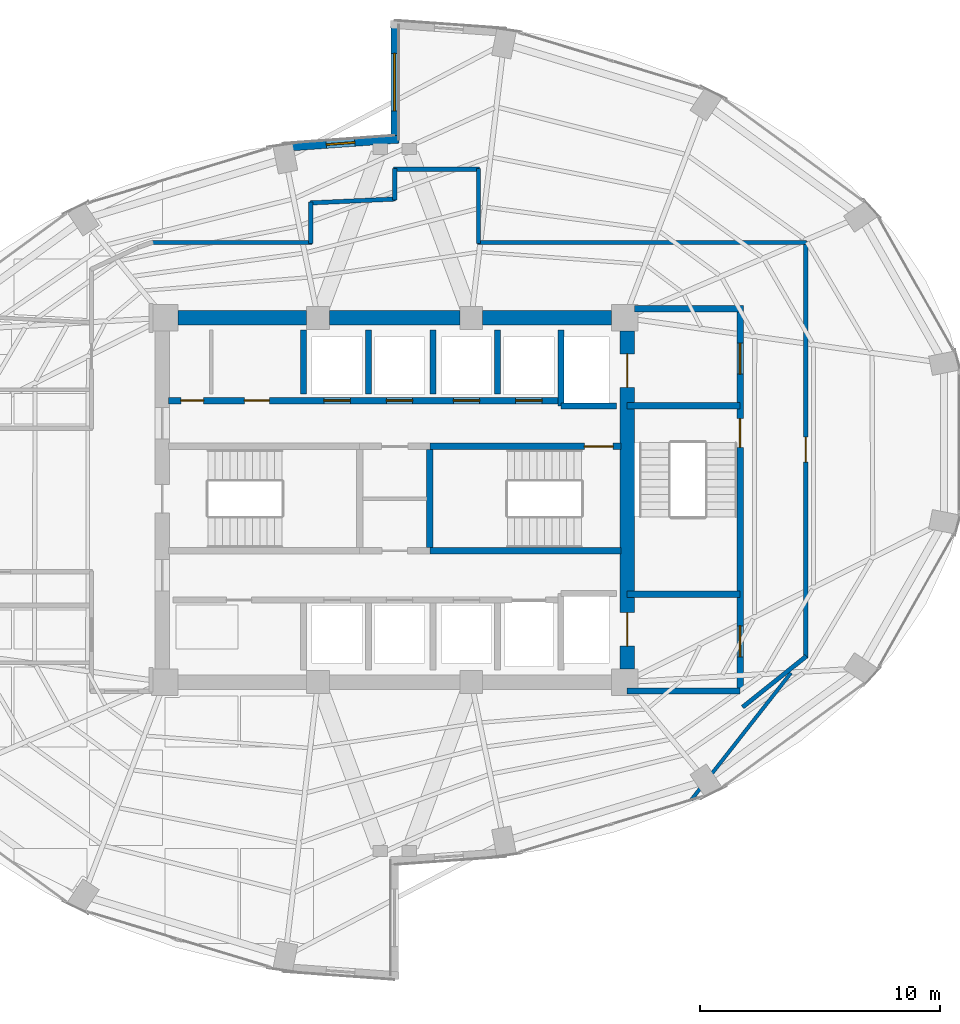
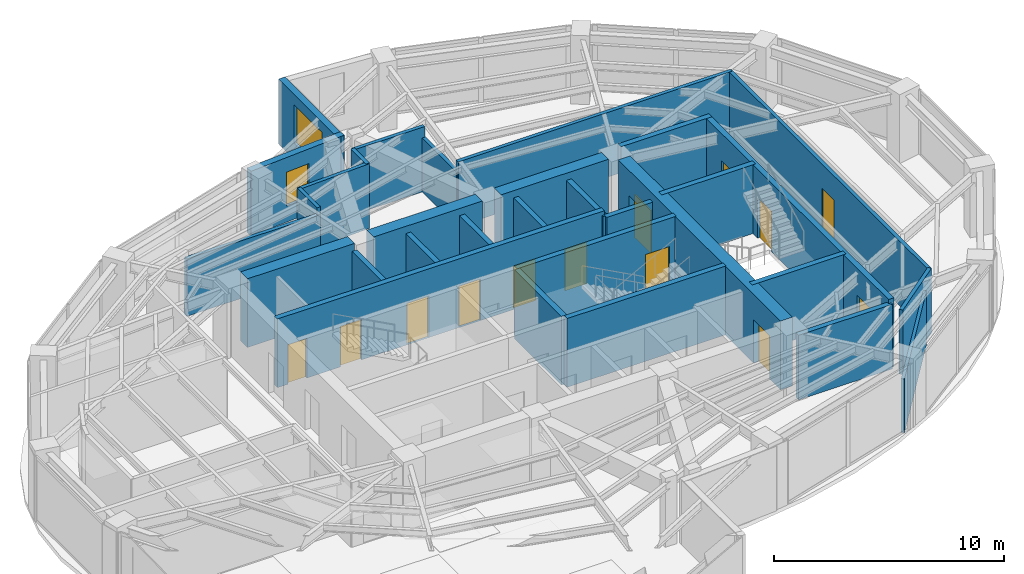
# One storey, part 17 of 20: 31 walls, 13 doors, 2 windows, 15 openings.
"""IFC4 building model written with IfcOpenShell, lengths in metres."""

import ifcopenshell
import ifcopenshell.guid

model = None  # the IFC model being written
_history = None  # IfcOwnerHistory: only IFC2X3 demands one
_inside = {}  # id of a spatial element -> (the spatial element, [elements in it])
_under = {}  # id of a project, library or spatial element -> (it, [spatial elements below it])
_declared = {}  # id of a project -> (the project, [libraries it declares])
_typed = {}  # id of a type object -> (the type object, [elements of that type])
_made_of = {}  # id of a material, layer set ... -> (it, [elements and type objects made of it])


def new_model(schema):
    """Start an empty IFC model of exactly this schema.

    Asked for "IFC4X3", IfcOpenShell would pick the latest addendum, in which some entities
    have other attributes; the version numbers below select the first issue.
    IFC2X3 requires an IfcOwnerHistory on every rooted entity: one is made here for all.
    """
    global model, _history
    if schema == "IFC4X3":
        model = ifcopenshell.file(schema_version=(4, 3, 0, 0))
    else:
        model = ifcopenshell.file(schema=schema)
    _inside.clear()
    _under.clear()
    _declared.clear()
    _typed.clear()
    _made_of.clear()
    _history = None
    if model.schema == "IFC2X3":
        org = make("IfcOrganization", Name="unknown")
        user = make(
            "IfcPersonAndOrganization",
            ThePerson=make("IfcPerson", FamilyName="unknown"),
            TheOrganization=org,
        )
        app = make(
            "IfcApplication",
            ApplicationDeveloper=org,
            Version="unknown",
            ApplicationFullName="unknown",
            ApplicationIdentifier="unknown",
        )
        _history = make(
            "IfcOwnerHistory",
            OwningUser=user,
            OwningApplication=app,
            ChangeAction="ADDED",
            CreationDate=0,
        )
    return model


def make(cls, **values):
    """One entity of the class cls with the attributes given. An attribute that is None is left unset."""
    return model.create_entity(
        cls, **{name: value for name, value in values.items() if value is not None}
    )


def rooted(cls, **values):
    """An entity with a GlobalId (a new one), such as an element, a storey or a relation."""
    return make(cls, GlobalId=ifcopenshell.guid.new(), OwnerHistory=_history, **values)


def si_unit(unit_type, name, prefix=None):
    """IfcSIUnit, for example si_unit("LENGTHUNIT", "METRE", prefix="MILLI")."""
    return make("IfcSIUnit", UnitType=unit_type, Prefix=prefix, Name=name)


def assignment(units):
    """IfcUnitAssignment: the units of a project."""
    return None if units is None else make("IfcUnitAssignment", Units=units)


def point(xyz):
    """IfcCartesianPoint."""
    return None if xyz is None else make("IfcCartesianPoint", Coordinates=xyz)


def direction(xyz):
    """IfcDirection."""
    return None if xyz is None else make("IfcDirection", DirectionRatios=xyz)


def frame(location, z_axis=None, x_axis=None):
    """IfcAxis2Placement3D, a coordinate frame: its origin and axes. An axis left out is left unset."""
    return make(
        "IfcAxis2Placement3D",
        Location=point(location),
        Axis=direction(z_axis),
        RefDirection=direction(x_axis),
    )


def frame_2d(location, x_axis=None):
    """IfcAxis2Placement2D, a coordinate frame in the plane: its origin and x axis."""
    return make(
        "IfcAxis2Placement2D", Location=point(location), RefDirection=direction(x_axis)
    )


def origin():
    """The frame at (0, 0, 0) with its axes left unset."""
    return frame((0.0, 0.0, 0.0))


def place(relative_to, where):
    """IfcLocalPlacement: puts the frame where relative to a parent placement (None: the world)."""
    return make(
        "IfcLocalPlacement", PlacementRelTo=relative_to, RelativePlacement=where
    )


def context(
    kind, dimensions, precision=None, world=None, true_north=None, identifier=None
):
    """IfcGeometricRepresentationContext, for example the 3D "Model" context."""
    return make(
        "IfcGeometricRepresentationContext",
        ContextIdentifier=identifier,
        ContextType=kind,
        CoordinateSpaceDimension=dimensions,
        Precision=precision,
        WorldCoordinateSystem=world,
        TrueNorth=true_north,
    )


def subcontext(parent, identifier, kind, view, scale=None):
    """IfcGeometricRepresentationSubContext, for example "Body" below "Model"."""
    return make(
        "IfcGeometricRepresentationSubContext",
        ContextIdentifier=identifier,
        ContextType=kind,
        ParentContext=parent,
        TargetScale=scale,
        TargetView=view,
    )


def project(units=None, contexts=None):
    """IfcProject with its units and contexts."""
    return rooted(
        "IfcProject",
        Name="project",
        RepresentationContexts=contexts,
        UnitsInContext=assignment(units),
    )


def spatial(cls, under=None, at=None, **own):
    """A site, building, storey or space (cls), placed at a placement, below another one or the project."""
    s = rooted(cls, ObjectPlacement=at, **own)
    if under is not None:
        _under.setdefault(under.id(), (under, []))[1].append(s)
    return s


def profile(cls, at=None, kind="AREA", **sizes):
    """A parametric profile (cls). Its sizes go by their IFC names, for example OverallWidth=200.0."""
    return make(cls, ProfileType=kind, Position=at, **sizes)


def rectangle(**sizes):
    """IfcRectangleProfileDef."""
    return profile("IfcRectangleProfileDef", **sizes)


def extrude(swept, where, along, depth):
    """IfcExtrudedAreaSolid: the profile swept, set in the frame where, extruded along a direction by depth."""
    return make(
        "IfcExtrudedAreaSolid",
        SweptArea=swept,
        Position=where,
        ExtrudedDirection=direction(along),
        Depth=depth,
    )


def shape(context_of_items, identifier, shape_type, items):
    """IfcShapeRepresentation: the items that make up one representation, for example the "Body"."""
    return make(
        "IfcShapeRepresentation",
        ContextOfItems=context_of_items,
        RepresentationIdentifier=identifier,
        RepresentationType=shape_type,
        Items=items,
    )


def material(Name=None, Category=None):
    """IfcMaterial."""
    return make("IfcMaterial", Name=Name, Category=Category)


def layer(
    of_material, thickness, ventilated=None, Name=None, Category=None, Priority=None
):
    """IfcMaterialLayer: one layer of a wall or slab, of a material (None: an air gap)."""
    return make(
        "IfcMaterialLayer",
        Material=of_material,
        LayerThickness=thickness,
        IsVentilated=ventilated,
        Name=Name,
        Category=Category,
        Priority=Priority,
    )


def layer_set(layers, Name=None):
    """IfcMaterialLayerSet."""
    return make("IfcMaterialLayerSet", MaterialLayers=layers, LayerSetName=Name)


def made_of(thing, what):
    """Note that an element or type object is made of a material, layer set ...; save() writes the relation."""
    if what is not None:
        _made_of.setdefault(what.id(), (what, []))[1].append(thing)
    return thing


def type_object(cls, material=None, **own):
    """A type object (cls), such as IfcWallType, which elements share."""
    return made_of(rooted(cls, **own), material)


def element(
    cls,
    number,
    at=None,
    inside=None,
    cuts=None,
    type_object=None,
    material=None,
    context=None,
    identifier="Body",
    shape_type=None,
    held_by="IfcProductDefinitionShape",
    body=None,
    shapes=None,
    **own,
):
    """One element of the class cls, such as IfcWall. Its Tag is "e" and its number.

    at: its placement. inside: the storey or other place that contains it. cuts: it is an
    opening in that element (IfcRelVoidsElement). A single representation is given by context,
    identifier, shape_type and body (its items); several are given by shapes. held_by: the class
    of the entity that holds the representations. save() writes the other relations.
    """
    e = rooted(cls, Tag="e%d" % number, ObjectPlacement=at, **own)
    if body is not None:
        shapes = [shape(context, identifier, shape_type, body)]
    if shapes is not None:
        e.Representation = make(held_by, Representations=shapes)
    if inside is not None:
        _inside.setdefault(inside.id(), (inside, []))[1].append(e)
    if cuts is not None:
        rooted(
            "IfcRelVoidsElement", RelatingBuildingElement=cuts, RelatedOpeningElement=e
        )
    if type_object is not None:
        _typed.setdefault(type_object.id(), (type_object, []))[1].append(e)
    return made_of(e, material)


def fill(opening, filler):
    """IfcRelFillsElement: the door or window that sits in an opening."""
    return rooted(
        "IfcRelFillsElement",
        RelatingOpeningElement=opening,
        RelatedBuildingElement=filler,
    )


def aggregate(whole, parts):
    """IfcRelAggregates: a whole, such as a stair, and the parts it consists of."""
    return rooted("IfcRelAggregates", RelatingObject=whole, RelatedObjects=parts)


def save(model, path):
    """Write the relations noted so far, then the file.

    IfcRelAggregates (storeys below a building ...), IfcRelContainedInSpatialStructure (elements
    in a storey), IfcRelDefinesByType, IfcRelAssociatesMaterial and IfcRelDeclares: one each for
    every whole, place, type object, material and project.
    """
    for whole, parts in _under.values():
        aggregate(whole, parts)
    for where, things in _inside.values():
        rooted(
            "IfcRelContainedInSpatialStructure",
            RelatedElements=things,
            RelatingStructure=where,
        )
    for kind, things in _typed.values():
        rooted("IfcRelDefinesByType", RelatedObjects=things, RelatingType=kind)
    for what, things in _made_of.values():
        rooted("IfcRelAssociatesMaterial", RelatedObjects=things, RelatingMaterial=what)
    for by, libraries in _declared.values():
        rooted("IfcRelDeclares", RelatingContext=by, RelatedDefinitions=libraries)
    model.write(path)


model = new_model("IFC4")

# Units and contexts
model_context = context("Model", 3, precision=1e-05, world=origin(), true_north=direction((0.0, 1.0)))
body_context = subcontext(model_context, "Body", "Model", "MODEL_VIEW")
ifc_project = project(units=[si_unit("LENGTHUNIT", "METRE"), si_unit("AREAUNIT", "SQUARE_METRE"), si_unit("VOLUMEUNIT", "CUBIC_METRE"), si_unit("PLANEANGLEUNIT", "RADIAN"), si_unit("MASSUNIT", "GRAM", prefix="KILO")], contexts=[model_context])

# Site, building, storey
site_placement = place(None, origin())
site = spatial("IfcSite", under=ifc_project, at=site_placement, CompositionType="ELEMENT")
building_placement = place(site_placement, origin())
building = spatial("IfcBuilding", under=site, at=building_placement, Name="Lazwardi Medical Tower", CompositionType="ELEMENT")
storey_placement = place(building_placement, frame((0.0, 0.0, 174.76806640625)))
storey = spatial("IfcBuildingStorey", under=building, at=storey_placement, Name="L45", CompositionType="ELEMENT", Elevation=174.76806640625)

# Walls
ifc_material_1 = material(Name="Fire-rated gypsum board on steel stud", Category="steel")
ifc_layer_1 = layer(ifc_material_1, 0.179931640625)
ifc_layer_set_1 = layer_set([ifc_layer_1], Name="Fire-rated gypsum board on steel stud")
wall_type_1 = type_object("IfcWallType", Name="WL-COR-180", PredefinedType="PARTITIONING", material=ifc_layer_set_1)
wall_1_placement = place(storey_placement, frame((25.842529296875, 38.75, 0.0), z_axis=(0.0, 0.0, 1.0), x_axis=(1.0, 0.0, 0.0)))
element("IfcWall", 1, at=wall_1_placement, inside=storey, type_object=wall_type_1, Name="L45 Corridor partition 6", PredefinedType="PARTITIONING", context=body_context, shape_type="SweptSolid", body=[
    extrude(rectangle(XDim=6.697509765625, YDim=0.179931640625, at=frame_2d((3.3486328125, 0.0))), origin(), (0.0, 0.0, 1.0), 3.052978515625),
])
wall_2_placement = place(storey_placement, frame((32.5, 38.7099609375, 0.0), z_axis=(0.0, 0.0, 1.0), x_axis=(0.0, 1.0, 0.0)))
element("IfcWall", 2, at=wall_2_placement, inside=storey, type_object=wall_type_1, Name="L45 Corridor partition 7", PredefinedType="PARTITIONING", context=body_context, shape_type="SweptSolid", body=[
    extrude(rectangle(XDim=1.729248046875, YDim=0.179931640625, at=frame_2d((0.86474609375, 0.0))), origin(), (0.0, 0.0, 1.0), 3.427978515625),
])
wall_3_placement = place(storey_placement, frame((32.4599609375, 40.3974609375, 0.0), z_axis=(0.0, 0.0, 1.0), x_axis=(0.998948498694, 0.045846449783, 0.0)))
element("IfcWall", 3, at=wall_3_placement, inside=storey, type_object=wall_type_1, Name="L45 Corridor partition 8", PredefinedType="PARTITIONING", context=body_context, shape_type="SweptSolid", body=[
    extrude(rectangle(XDim=3.583740234375, YDim=0.179931640625, at=frame_2d((1.7919921875, 0.0))), origin(), (0.0, 0.0, 1.0), 3.427978515625),
])
wall_4_placement = place(storey_placement, frame((36.0, 40.52001953125, 0.0), z_axis=(0.0, 0.0, 1.0), x_axis=(0.0, 1.0, 0.0)))
element("IfcWall", 4, at=wall_4_placement, inside=storey, type_object=wall_type_1, Name="L45 Corridor partition 9", PredefinedType="PARTITIONING", context=body_context, shape_type="SweptSolid", body=[
    extrude(rectangle(XDim=1.320068359375, YDim=0.179931640625, at=frame_2d((0.66015625, 0.0))), origin(), (0.0, 0.0, 1.0), 3.427978515625),
])
wall_5_placement = place(storey_placement, frame((35.9599609375, 41.800048828125, 0.0), z_axis=(0.0, 0.0, 1.0), x_axis=(1.0, 0.0, 0.0)))
element("IfcWall", 5, at=wall_5_placement, inside=storey, type_object=wall_type_1, Name="L45 Corridor partition 10", PredefinedType="PARTITIONING", context=body_context, shape_type="SweptSolid", body=[
    extrude(rectangle(XDim=3.580078125, YDim=0.179931640625, at=frame_2d((1.7900390625, 0.0))), origin(), (0.0, 0.0, 1.0), 3.427978515625),
])
wall_6_placement = place(storey_placement, frame((39.5, 41.840087890625, 0.0), z_axis=(0.0, 0.0, 1.0), x_axis=(0.0, -1.0, 0.0)))
element("IfcWall", 6, at=wall_6_placement, inside=storey, type_object=wall_type_1, Name="L45 Corridor partition 11", PredefinedType="PARTITIONING", context=body_context, shape_type="SweptSolid", body=[
    extrude(rectangle(XDim=3.130126953125, YDim=0.179931640625, at=frame_2d((1.56494140625, 0.0))), origin(), (0.0, 0.0, 1.0), 2.863037109375),
])
wall_7_placement = place(storey_placement, frame((39.4599609375, 38.75, 0.0), z_axis=(0.0, 0.0, 1.0), x_axis=(1.0, 0.0, 0.0)))
element("IfcWall", 7, at=wall_7_placement, inside=storey, type_object=wall_type_1, Name="L45 Corridor partition 12", PredefinedType="PARTITIONING", context=body_context, shape_type="SweptSolid", body=[
    extrude(rectangle(XDim=13.72998046875, YDim=0.179931640625, at=frame_2d((6.864990234375, 0.0))), origin(), (0.0, 0.0, 1.0), 3.427978515625),
])

# Wall, opening, door
wall_8_placement = place(storey_placement, frame((53.14990234375, 38.7900390625, 0.0), z_axis=(0.0, 0.0, 1.0), x_axis=(0.0, -1.0, 0.0)))
wall_8 = element("IfcWall", 8, at=wall_8_placement, inside=storey, type_object=wall_type_1, Name="L45 Corridor partition 13", PredefinedType="PARTITIONING", context=body_context, shape_type="SweptSolid", body=[
    extrude(rectangle(XDim=17.374267578125, YDim=0.179931640625, at=frame_2d((8.68701171875, 0.0))), origin(), (0.0, 0.0, 1.0), 3.427978515625),
])
opening_1_placement = place(wall_8_placement, frame((8.162109375, 0.0, 0.0)))
opening_1 = element("IfcOpeningElement", 9, at=opening_1_placement, cuts=wall_8, Name="Opening D-L45-012", PredefinedType="OPENING", context=body_context, shape_type="SweptSolid", body=[
    extrude(rectangle(XDim=1.050048828125, YDim=2.14990234375, at=frame_2d((0.52490234375, 1.074951171875))), frame((0.0, 0.099853515625, 0.0), z_axis=(0.0, -1.0, 0.0), x_axis=(1.0, 0.0, 0.0)), (0.0, 0.0, 1.0), 0.199951171875),
])
ifc_material_2 = material(Name="Anti-microbial laminate hospital leaf")
door_type_1 = type_object("IfcDoorType", Name="DR-CLN-1050", OperationType="NOTDEFINED", PredefinedType="DOOR", material=ifc_material_2)
door_1_placement = place(opening_1_placement, origin())
door_1 = element("IfcDoor", 10, at=door_1_placement, inside=storey, type_object=door_type_1, Name="L45 Outpatient Consultation Suite Door 03", OperationType="SINGLE_SWING_LEFT", OverallHeight=2.14990234375, OverallWidth=1.050048828125, PredefinedType="DOOR", context=body_context, shape_type="SweptSolid", body=[
    extrude(rectangle(XDim=1.050048828125, YDim=2.14990234375, at=frame_2d((0.52490234375, 1.074951171875))), frame((0.0, 0.02490234375, 0.0), z_axis=(0.0, -1.0, 0.0), x_axis=(1.0, 0.0, 0.0)), (0.0, 0.0, 1.0), 0.050048828125),
])
fill(opening_1, door_1)

# Wall
wall_9_placement = place(storey_placement, frame((53.181396484375, 21.480712890625, 0.0), z_axis=(0.0, 0.0, 1.0), x_axis=(-0.781420737726, -0.624004511724, 0.0)))
element("IfcWall", 11, at=wall_9_placement, inside=storey, type_object=wall_type_1, Name="L45 Corridor partition 14", PredefinedType="PARTITIONING", context=body_context, shape_type="SweptSolid", body=[
    extrude(rectangle(XDim=3.407470703125, YDim=0.179931640625, at=frame_2d((1.70361328125, 0.0))), origin(), (0.0, 0.0, 1.0), 3.427978515625),
])

# Wall, openings, doors
ifc_material_3 = material(Name="Concrete C60/75", Category="concrete")
ifc_layer_2 = layer(ifc_material_3, 0.60009765625)
ifc_layer_set_2 = layer_set([ifc_layer_2], Name="Concrete C60/75")
wall_type_2 = type_object("IfcWallType", Name="WL-CORE-600", PredefinedType="SHEAR", material=ifc_layer_set_2)
wall_10_placement = place(storey_placement, frame((45.699951171875, 20.949951171875, 0.0), z_axis=(0.0, 0.0, 1.0), x_axis=(0.0, 1.0, 0.0)))
wall_10 = element("IfcWall", 12, at=wall_10_placement, inside=storey, type_object=wall_type_2, Name="Core wall CW-S3 east L45", PredefinedType="SHEAR", context=body_context, shape_type="SweptSolid", body=[
    extrude(rectangle(XDim=14.10009765625, YDim=0.60009765625, at=frame_2d((7.050048828125, 0.0))), origin(), (0.0, 0.0, 1.0), 3.64794921875),
])
opening_2_placement = place(wall_10_placement, frame((11.75, 0.0, 0.0)))
opening_2 = element("IfcOpeningElement", 13, at=opening_2_placement, cuts=wall_10, Name="Opening LD-L45-001", PredefinedType="OPENING", context=body_context, shape_type="SweptSolid", body=[
    extrude(rectangle(XDim=1.39990234375, YDim=2.300048828125, at=frame_2d((0.699951171875, 1.14990234375))), frame((0.0, 0.31005859375, 0.0), z_axis=(0.0, -1.0, 0.0), x_axis=(1.0, 0.0, 0.0)), (0.0, 0.0, 1.0), 0.6201171875),
])
opening_3_placement = place(wall_10_placement, frame((0.949951171875, 0.0, 0.0)))
opening_3 = element("IfcOpeningElement", 14, at=opening_3_placement, cuts=wall_10, Name="Opening LD-L45-002", PredefinedType="OPENING", context=body_context, shape_type="SweptSolid", body=[
    extrude(rectangle(XDim=1.39990234375, YDim=2.300048828125, at=frame_2d((0.699951171875, 1.14990234375))), frame((0.0, 0.31005859375, 0.0), z_axis=(0.0, -1.0, 0.0), x_axis=(1.0, 0.0, 0.0)), (0.0, 0.0, 1.0), 0.6201171875),
])
ifc_material_4 = material(Name="Brushed stainless steel bed-lift landing door", Category="steel")
door_type_2 = type_object("IfcDoorType", Name="DR-LFT-1400", OperationType="NOTDEFINED", PredefinedType="DOOR", material=ifc_material_4)
door_2_placement = place(opening_2_placement, origin())
door_2 = element("IfcDoor", 15, at=door_2_placement, inside=storey, type_object=door_type_2, Name="L45 Lift Landing Door FL-01", OperationType="SLIDING_TO_LEFT", OverallHeight=2.300048828125, OverallWidth=1.39990234375, PredefinedType="DOOR", context=body_context, shape_type="SweptSolid", body=[
    extrude(rectangle(XDim=1.39990234375, YDim=2.300048828125, at=frame_2d((0.699951171875, 1.14990234375))), frame((0.0, 0.02490234375, 0.0), z_axis=(0.0, -1.0, 0.0), x_axis=(1.0, 0.0, 0.0)), (0.0, 0.0, 1.0), 0.050048828125),
])
fill(opening_2, door_2)
door_3_placement = place(opening_3_placement, origin())
door_3 = element("IfcDoor", 16, at=door_3_placement, inside=storey, type_object=door_type_2, Name="L45 Lift Landing Door FL-02", OperationType="SLIDING_TO_LEFT", OverallHeight=2.300048828125, OverallWidth=1.39990234375, PredefinedType="DOOR", context=body_context, shape_type="SweptSolid", body=[
    extrude(rectangle(XDim=1.39990234375, YDim=2.300048828125, at=frame_2d((0.699951171875, 1.14990234375))), frame((0.0, 0.02490234375, 0.0), z_axis=(0.0, -1.0, 0.0), x_axis=(1.0, 0.0, 0.0)), (0.0, 0.0, 1.0), 0.050048828125),
])
fill(opening_3, door_3)

# Walls
wall_11_placement = place(storey_placement, frame((26.949951171875, 35.60009765625, 0.0), z_axis=(0.0, 0.0, 1.0), x_axis=(1.0, 0.0, 0.0)))
element("IfcWall", 17, at=wall_11_placement, inside=storey, type_object=wall_type_2, Name="Core wall CW-S3 N1 L45", PredefinedType="SHEAR", context=body_context, shape_type="SweptSolid", body=[
    extrude(rectangle(XDim=5.375, YDim=0.60009765625, at=frame_2d((2.6875, 0.0))), origin(), (0.0, 0.0, 1.0), 3.64794921875),
])
wall_12_placement = place(storey_placement, frame((33.27490234375, 35.60009765625, 0.0), z_axis=(0.0, 0.0, 1.0), x_axis=(1.0, 0.0, 0.0)))
element("IfcWall", 18, at=wall_12_placement, inside=storey, type_object=wall_type_2, Name="Core wall CW-S3 N2 L45", PredefinedType="SHEAR", context=body_context, shape_type="SweptSolid", body=[
    extrude(rectangle(XDim=5.4501953125, YDim=0.60009765625, at=frame_2d((2.72509765625, 0.0))), origin(), (0.0, 0.0, 1.0), 3.64794921875),
])
wall_13_placement = place(storey_placement, frame((39.675048828125, 35.60009765625, 0.0), z_axis=(0.0, 0.0, 1.0), x_axis=(1.0, 0.0, 0.0)))
element("IfcWall", 19, at=wall_13_placement, inside=storey, type_object=wall_type_2, Name="Core wall CW-S3 N3 L45", PredefinedType="SHEAR", context=body_context, shape_type="SweptSolid", body=[
    extrude(rectangle(XDim=5.375, YDim=0.60009765625, at=frame_2d((2.6875, 0.0))), origin(), (0.0, 0.0, 1.0), 3.64794921875),
])

# Wall, opening, window
ifc_material_5 = material(Name="Precast concrete C45/55", Category="concrete")
ifc_layer_3 = layer(ifc_material_5, 0.320068359375)
ifc_layer_set_3 = layer_set([ifc_layer_3], Name="Precast concrete C45/55")
wall_type_3 = type_object("IfcWallType", Name="WL-IWAN-320", PredefinedType="SOLIDWALL", material=ifc_layer_set_3)
wall_14_placement = place(storey_placement, frame((36.17919921875, 43.052978515625, 0.0), z_axis=(0.0, 0.0, 1.0), x_axis=(-0.997415202861, -0.071853413984, 0.0)))
wall_14 = element("IfcWall", 20, at=wall_14_placement, inside=storey, type_object=wall_type_3, Name="L45 Iwan Portal Return Wall NW_ret", PredefinedType="SOLIDWALL", context=body_context, shape_type="SweptSolid", body=[
    extrude(rectangle(XDim=4.892822265625, YDim=0.320068359375, at=frame_2d((2.4462890625, 0.0))), origin(), (0.0, 0.0, 1.0), 3.427978515625),
])
opening_4_placement = place(wall_14_placement, frame((1.84619140625, 0.0, 0.85009765625)))
opening_4 = element("IfcOpeningElement", 21, at=opening_4_placement, cuts=wall_14, Name="Opening WN-04", PredefinedType="OPENING", context=body_context, shape_type="SweptSolid", body=[
    extrude(rectangle(XDim=1.199951171875, YDim=1.800048828125, at=frame_2d((0.60009765625, 0.89990234375))), frame((0.0, 0.169921875, 0.0), z_axis=(0.0, -1.0, 0.0), x_axis=(1.0, 0.0, 0.0)), (0.0, 0.0, 1.0), 0.340087890625),
])
ifc_material_6 = material(Name="Low-e bronze solar control double glazing", Category="glass")
window_type_1 = type_object("IfcWindowType", Name="WIN-DRUM-1200", PartitioningType="SINGLE_PANEL", PredefinedType="WINDOW", material=ifc_material_6)
window_1_placement = place(opening_4_placement, origin())
window_1 = element("IfcWindow", 22, at=window_1_placement, inside=storey, type_object=window_type_1, Name="L45 Iwan Slot Window NW_ret", OverallHeight=1.800048828125, OverallWidth=1.199951171875, PartitioningType="SINGLE_PANEL", PredefinedType="WINDOW", context=body_context, shape_type="SweptSolid", body=[
    extrude(rectangle(XDim=1.199951171875, YDim=1.800048828125, at=frame_2d((0.60009765625, 0.89990234375))), frame((0.0, 0.030029296875, 0.0), z_axis=(0.0, -1.0, 0.0), x_axis=(1.0, 0.0, 0.0)), (0.0, 0.0, 1.0), 0.06005859375),
])
fill(opening_4, window_1)

wall_15_placement = place(storey_placement, frame((36.0, 48.0, 0.0), z_axis=(0.0, 0.0, 1.0), x_axis=(0.0, -1.0, 0.0)))
wall_15 = element("IfcWall", 23, at=wall_15_placement, inside=storey, type_object=wall_type_3, Name="L45 Turquoise Tilework Iwan Seam Wall N_seam", PredefinedType="SOLIDWALL", context=body_context, shape_type="SweptSolid", body=[
    extrude(rectangle(XDim=5.1201171875, YDim=0.320068359375, at=frame_2d((2.56005859375, 0.0))), origin(), (0.0, 0.0, 1.0), 3.427978515625),
])
opening_5_placement = place(wall_15_placement, frame((1.360107421875, 0.0, 0.840087890625)))
opening_5 = element("IfcOpeningElement", 24, at=opening_5_placement, cuts=wall_15, Name="Opening WN-02", PredefinedType="OPENING", context=body_context, shape_type="SweptSolid", body=[
    extrude(rectangle(XDim=2.39990234375, YDim=2.0400390625, at=frame_2d((1.199951171875, 1.02001953125))), frame((0.0, 0.169921875, 0.0), z_axis=(0.0, -1.0, 0.0), x_axis=(1.0, 0.0, 0.0)), (0.0, 0.0, 1.0), 0.340087890625),
])
window_type_2 = type_object("IfcWindowType", Name="WIN-IW-2400", PartitioningType="SINGLE_PANEL", PredefinedType="WINDOW", material=ifc_material_6)
window_2_placement = place(opening_5_placement, origin())
window_2 = element("IfcWindow", 25, at=window_2_placement, inside=storey, type_object=window_type_2, Name="L45 Iwan Seam Window N_seam", OverallHeight=2.0400390625, OverallWidth=2.39990234375, PartitioningType="SINGLE_PANEL", PredefinedType="WINDOW", context=body_context, shape_type="SweptSolid", body=[
    extrude(rectangle(XDim=2.39990234375, YDim=2.0400390625, at=frame_2d((1.199951171875, 1.02001953125))), frame((0.0, 0.030029296875, 0.0), z_axis=(0.0, -1.0, 0.0), x_axis=(1.0, 0.0, 0.0)), (0.0, 0.0, 1.0), 0.06005859375),
])
fill(opening_5, window_2)

# Walls
ifc_material_7 = material(Name="Autoclaved aerated concrete blockwork", Category="masonry")
ifc_layer_4 = layer(ifc_material_7, 0.25)
ifc_layer_set_4 = layer_set([ifc_layer_4], Name="Autoclaved aerated concrete blockwork")
wall_type_4 = type_object("IfcWallType", Name="WL-SHAFT-250", PredefinedType="SOLIDWALL", material=ifc_layer_set_4)
wall_16_placement = place(storey_placement, frame((42.949951171875, 31.919921875, 0.0), z_axis=(0.0, 0.0, 1.0), x_axis=(0.0, 1.0, 0.0)))
element("IfcWall", 26, at=wall_16_placement, inside=storey, type_object=wall_type_4, Name="L45 FL-01 West shaft wall", PredefinedType="SOLIDWALL", context=body_context, shape_type="SweptSolid", body=[
    extrude(rectangle(XDim=3.18017578125, YDim=0.25, at=frame_2d((1.590087890625, 0.0))), origin(), (0.0, 0.0, 1.0), 3.427978515625),
])
wall_17_placement = place(storey_placement, frame((42.949951171875, 31.919921875, 0.0), z_axis=(0.0, 0.0, 1.0), x_axis=(1.0, 0.0, 0.0)))
element("IfcWall", 27, at=wall_17_placement, inside=storey, type_object=wall_type_4, Name="L45 FL-01 South shaft wall", PredefinedType="SOLIDWALL", context=body_context, shape_type="SweptSolid", body=[
    extrude(rectangle(XDim=2.300048828125, YDim=0.25, at=frame_2d((1.14990234375, 0.0))), origin(), (0.0, 0.0, 1.0), 3.427978515625),
])
for number, where, z_axis, x_axis, name in (
    (28, (32.199951171875, 32.419921875, 0.0), (0.0, 0.0, 1.0), (0.0, 1.0, 0.0), "L45 North hoistway divider"),
    (29, (34.89990234375, 32.419921875, 0.0), (0.0, 0.0, 1.0), (0.0, 1.0, 0.0), "L45 North hoistway divider"),
    (30, (37.60009765625, 32.419921875, 0.0), (0.0, 0.0, 1.0), (0.0, 1.0, 0.0), "L45 North hoistway divider"),
    (31, (40.300048828125, 32.419921875, 0.0), (0.0, 0.0, 1.0), (0.0, 1.0, 0.0), "L45 North hoistway divider"),
):
    element("IfcWall", number, at=place(storey_placement, frame(where, z_axis=z_axis, x_axis=x_axis)), inside=storey, type_object=wall_type_4, Name=name, PredefinedType="SOLIDWALL", context=body_context, shape_type="SweptSolid", body=[
        extrude(rectangle(XDim=2.68017578125, YDim=0.25, at=frame_2d((1.340087890625, 0.0))), origin(), (0.0, 0.0, 1.0), 3.427978515625),
    ])
wall_18_placement = place(storey_placement, frame((45.699951171875, 20.02001953125, 0.0), z_axis=(0.0, 0.0, 1.0), x_axis=(1.0, 0.0, 0.0)))
element("IfcWall", 32, at=wall_18_placement, inside=storey, type_object=wall_type_4, Name="L45 FFL-S South wall", PredefinedType="SOLIDWALL", context=body_context, shape_type="SweptSolid", body=[
    extrude(rectangle(XDim=4.715087890625, YDim=0.25, at=frame_2d((2.357421875, 0.0))), origin(), (0.0, 0.0, 1.0), 3.427978515625),
])

# Wall, opening, door
ifc_material_8 = material(Name="Concrete C50/60", Category="concrete")
ifc_layer_5 = layer(ifc_material_8, 0.27001953125)
ifc_layer_set_5 = layer_set([ifc_layer_5], Name="Concrete C50/60")
wall_type_5 = type_object("IfcWallType", Name="WL-STR-250", PredefinedType="SHEAR", material=ifc_layer_set_5)
wall_19_placement = place(storey_placement, frame((37.465087890625, 30.235107421875, 0.0), z_axis=(0.0, 0.0, 1.0), x_axis=(1.0, 0.0, 0.0)))
wall_19 = element("IfcWall", 33, at=wall_19_placement, inside=storey, type_object=wall_type_5, Name="L45 ST2 North shear shaft wall SW-S1", PredefinedType="SHEAR", context=body_context, shape_type="SweptSolid", body=[
    extrude(rectangle(XDim=7.98486328125, YDim=0.27001953125, at=frame_2d((3.992431640625, 0.0))), origin(), (0.0, 0.0, 1.0), 3.64794921875),
])
opening_6_placement = place(wall_19_placement, frame((6.455078125, 0.0, 0.0)))
opening_6 = element("IfcOpeningElement", 34, at=opening_6_placement, cuts=wall_19, Name="Opening D-L45-016", PredefinedType="OPENING", context=body_context, shape_type="SweptSolid", body=[
    extrude(rectangle(XDim=1.199951171875, YDim=2.14990234375, at=frame_2d((0.60009765625, 1.074951171875))), frame((0.0, 0.14501953125, 0.0), z_axis=(0.0, -1.0, 0.0), x_axis=(1.0, 0.0, 0.0)), (0.0, 0.0, 1.0), 0.2900390625),
])
ifc_material_9 = material(Name="Fire-rated steel leaf and frame", Category="steel")
door_type_3 = type_object("IfcDoorType", Name="DR-STR-1200", OperationType="NOTDEFINED", PredefinedType="DOOR", material=ifc_material_9)
door_4_placement = place(opening_6_placement, origin())
door_4 = element("IfcDoor", 35, at=door_4_placement, inside=storey, type_object=door_type_3, Name="L45 Exit Stair ST2 Door", OperationType="SINGLE_SWING_RIGHT", OverallHeight=2.14990234375, OverallWidth=1.199951171875, PredefinedType="DOOR", context=body_context, shape_type="SweptSolid", body=[
    extrude(rectangle(XDim=1.199951171875, YDim=2.14990234375, at=frame_2d((0.60009765625, 1.074951171875))), frame((0.0, 0.02490234375, 0.0), z_axis=(0.0, -1.0, 0.0), x_axis=(1.0, 0.0, 0.0)), (0.0, 0.0, 1.0), 0.050048828125),
])
fill(opening_6, door_4)

# Walls
wall_20_placement = place(storey_placement, frame((37.465087890625, 25.885009765625, 0.0), z_axis=(0.0, 0.0, 1.0), x_axis=(1.0, 0.0, 0.0)))
element("IfcWall", 36, at=wall_20_placement, inside=storey, type_object=wall_type_5, Name="L45 ST2 South shear shaft wall SW-S1", PredefinedType="SHEAR", context=body_context, shape_type="SweptSolid", body=[
    extrude(rectangle(XDim=7.98486328125, YDim=0.27001953125, at=frame_2d((3.992431640625, 0.0))), origin(), (0.0, 0.0, 1.0), 3.64794921875),
])
wall_21_placement = place(storey_placement, frame((37.465087890625, 26.02001953125, 0.0), z_axis=(0.0, 0.0, 1.0), x_axis=(0.0, 1.0, 0.0)))
element("IfcWall", 37, at=wall_21_placement, inside=storey, type_object=wall_type_5, Name="L45 ST2 West shear shaft wall SW-S1", PredefinedType="SHEAR", context=body_context, shape_type="SweptSolid", body=[
    extrude(rectangle(XDim=4.080078125, YDim=0.27001953125, at=frame_2d((2.0400390625, 0.0))), origin(), (0.0, 0.0, 1.0), 3.64794921875),
])

# Wall, openings, doors
wall_22_placement = place(storey_placement, frame((26.550048828125, 32.14990234375, 0.0), z_axis=(0.0, 0.0, 1.0), x_axis=(1.0, 0.0, 0.0)))
wall_22 = element("IfcWall", 38, at=wall_22_placement, inside=storey, type_object=wall_type_5, Name="L45 North lift bank shear wall SW-S1", PredefinedType="SHEAR", context=body_context, shape_type="SweptSolid", body=[
    extrude(rectangle(XDim=16.39990234375, YDim=0.27001953125, at=frame_2d((8.199951171875, 0.0))), origin(), (0.0, 0.0, 1.0), 3.64794921875),
])
opening_7_placement = place(wall_22_placement, frame((0.52490234375, 0.0, 0.0)))
opening_7 = element("IfcOpeningElement", 39, at=opening_7_placement, cuts=wall_22, Name="Opening D-L45-003", PredefinedType="OPENING", context=body_context, shape_type="SweptSolid", body=[
    extrude(rectangle(XDim=0.949951171875, YDim=2.10009765625, at=frame_2d((0.47509765625, 1.050048828125))), frame((0.0, 0.14501953125, 0.0), z_axis=(0.0, -1.0, 0.0), x_axis=(1.0, 0.0, 0.0)), (0.0, 0.0, 1.0), 0.2900390625),
])
opening_8_placement = place(wall_22_placement, frame((3.175048828125, 0.0, 0.0)))
opening_8 = element("IfcOpeningElement", 40, at=opening_8_placement, cuts=wall_22, Name="Opening D-L45-004", PredefinedType="OPENING", context=body_context, shape_type="SweptSolid", body=[
    extrude(rectangle(XDim=1.050048828125, YDim=2.14990234375, at=frame_2d((0.52490234375, 1.074951171875))), frame((0.0, 0.14501953125, 0.0), z_axis=(0.0, -1.0, 0.0), x_axis=(1.0, 0.0, 0.0)), (0.0, 0.0, 1.0), 0.2900390625),
])
opening_9_placement = place(wall_22_placement, frame((6.5, 0.0, 0.0)))
opening_9 = element("IfcOpeningElement", 41, at=opening_9_placement, cuts=wall_22, Name="Opening LD-L45-004", PredefinedType="OPENING", context=body_context, shape_type="SweptSolid", body=[
    extrude(rectangle(XDim=1.10009765625, YDim=2.199951171875, at=frame_2d((0.550048828125, 1.10009765625))), frame((0.0, 0.14501953125, 0.0), z_axis=(0.0, -1.0, 0.0), x_axis=(1.0, 0.0, 0.0)), (0.0, 0.0, 1.0), 0.2900390625),
])
opening_10_placement = place(wall_22_placement, frame((9.10009765625, 0.0, 0.0)))
opening_10 = element("IfcOpeningElement", 42, at=opening_10_placement, cuts=wall_22, Name="Opening LD-L45-005", PredefinedType="OPENING", context=body_context, shape_type="SweptSolid", body=[
    extrude(rectangle(XDim=1.10009765625, YDim=2.199951171875, at=frame_2d((0.550048828125, 1.10009765625))), frame((0.0, 0.14501953125, 0.0), z_axis=(0.0, -1.0, 0.0), x_axis=(1.0, 0.0, 0.0)), (0.0, 0.0, 1.0), 0.2900390625),
])
opening_11_placement = place(wall_22_placement, frame((11.89990234375, 0.0, 0.0)))
opening_11 = element("IfcOpeningElement", 43, at=opening_11_placement, cuts=wall_22, Name="Opening LD-L45-008", PredefinedType="OPENING", context=body_context, shape_type="SweptSolid", body=[
    extrude(rectangle(XDim=1.10009765625, YDim=2.199951171875, at=frame_2d((0.550048828125, 1.10009765625))), frame((0.0, 0.14501953125, 0.0), z_axis=(0.0, -1.0, 0.0), x_axis=(1.0, 0.0, 0.0)), (0.0, 0.0, 1.0), 0.2900390625),
])
opening_12_placement = place(wall_22_placement, frame((14.5, 0.0, 0.0)))
opening_12 = element("IfcOpeningElement", 44, at=opening_12_placement, cuts=wall_22, Name="Opening LD-L45-009", PredefinedType="OPENING", context=body_context, shape_type="SweptSolid", body=[
    extrude(rectangle(XDim=1.10009765625, YDim=2.199951171875, at=frame_2d((0.550048828125, 1.10009765625))), frame((0.0, 0.14501953125, 0.0), z_axis=(0.0, -1.0, 0.0), x_axis=(1.0, 0.0, 0.0)), (0.0, 0.0, 1.0), 0.2900390625),
])
door_5_placement = place(opening_8_placement, origin())
door_5 = element("IfcDoor", 45, at=door_5_placement, inside=storey, type_object=door_type_1, Name="L45 Telemedicine Door", OperationType="SINGLE_SWING_RIGHT", OverallHeight=2.14990234375, OverallWidth=1.050048828125, PredefinedType="DOOR", context=body_context, shape_type="SweptSolid", body=[
    extrude(rectangle(XDim=1.050048828125, YDim=2.14990234375, at=frame_2d((0.52490234375, 1.074951171875))), frame((0.0, 0.02490234375, 0.0), z_axis=(0.0, -1.0, 0.0), x_axis=(1.0, 0.0, 0.0)), (0.0, 0.0, 1.0), 0.050048828125),
])
fill(opening_8, door_5)
ifc_material_10 = material(Name="Moisture-resistant laminate door leaf")
door_type_4 = type_object("IfcDoorType", Name="DR-ENS-950", OperationType="NOTDEFINED", PredefinedType="DOOR", material=ifc_material_10)
door_6_placement = place(opening_7_placement, origin())
door_6 = element("IfcDoor", 46, at=door_6_placement, inside=storey, type_object=door_type_4, Name="L45 Core Staff WC Door", OperationType="SINGLE_SWING_LEFT", OverallHeight=2.10009765625, OverallWidth=0.949951171875, PredefinedType="DOOR", context=body_context, shape_type="SweptSolid", body=[
    extrude(rectangle(XDim=0.949951171875, YDim=2.10009765625, at=frame_2d((0.47509765625, 1.050048828125))), frame((0.0, 0.02490234375, 0.0), z_axis=(0.0, -1.0, 0.0), x_axis=(1.0, 0.0, 0.0)), (0.0, 0.0, 1.0), 0.050048828125),
])
fill(opening_7, door_6)
ifc_material_11 = material(Name="Brushed bronze stainless steel landing door", Category="steel")
door_type_5 = type_object("IfcDoorType", Name="DR-LFT-1100", OperationType="NOTDEFINED", PredefinedType="DOOR", material=ifc_material_11)
door_7_placement = place(opening_9_placement, origin())
door_7 = element("IfcDoor", 47, at=door_7_placement, inside=storey, type_object=door_type_5, Name="L45 Lift Landing Door PL-05", OperationType="SLIDING_TO_LEFT", OverallHeight=2.199951171875, OverallWidth=1.10009765625, PredefinedType="DOOR", context=body_context, shape_type="SweptSolid", body=[
    extrude(rectangle(XDim=1.10009765625, YDim=2.199951171875, at=frame_2d((0.550048828125, 1.10009765625))), frame((0.0, 0.02490234375, 0.0), z_axis=(0.0, -1.0, 0.0), x_axis=(1.0, 0.0, 0.0)), (0.0, 0.0, 1.0), 0.050048828125),
])
fill(opening_9, door_7)
door_8_placement = place(opening_10_placement, origin())
door_8 = element("IfcDoor", 48, at=door_8_placement, inside=storey, type_object=door_type_5, Name="L45 Lift Landing Door PL-06", OperationType="SLIDING_TO_LEFT", OverallHeight=2.199951171875, OverallWidth=1.10009765625, PredefinedType="DOOR", context=body_context, shape_type="SweptSolid", body=[
    extrude(rectangle(XDim=1.10009765625, YDim=2.199951171875, at=frame_2d((0.550048828125, 1.10009765625))), frame((0.0, 0.02490234375, 0.0), z_axis=(0.0, -1.0, 0.0), x_axis=(1.0, 0.0, 0.0)), (0.0, 0.0, 1.0), 0.050048828125),
])
fill(opening_10, door_8)
door_9_placement = place(opening_11_placement, origin())
door_9 = element("IfcDoor", 49, at=door_9_placement, inside=storey, type_object=door_type_5, Name="L45 Lift Landing Door PL-09", OperationType="SLIDING_TO_LEFT", OverallHeight=2.199951171875, OverallWidth=1.10009765625, PredefinedType="DOOR", context=body_context, shape_type="SweptSolid", body=[
    extrude(rectangle(XDim=1.10009765625, YDim=2.199951171875, at=frame_2d((0.550048828125, 1.10009765625))), frame((0.0, 0.02490234375, 0.0), z_axis=(0.0, -1.0, 0.0), x_axis=(1.0, 0.0, 0.0)), (0.0, 0.0, 1.0), 0.050048828125),
])
fill(opening_11, door_9)
door_10_placement = place(opening_12_placement, origin())
door_10 = element("IfcDoor", 50, at=door_10_placement, inside=storey, type_object=door_type_5, Name="L45 Lift Landing Door PL-10", OperationType="SLIDING_TO_LEFT", OverallHeight=2.199951171875, OverallWidth=1.10009765625, PredefinedType="DOOR", context=body_context, shape_type="SweptSolid", body=[
    extrude(rectangle(XDim=1.10009765625, YDim=2.199951171875, at=frame_2d((0.550048828125, 1.10009765625))), frame((0.0, 0.02490234375, 0.0), z_axis=(0.0, -1.0, 0.0), x_axis=(1.0, 0.0, 0.0)), (0.0, 0.0, 1.0), 0.050048828125),
])
fill(opening_12, door_10)

wall_23_placement = place(storey_placement, frame((50.4150390625, 35.844970703125, 0.0), z_axis=(0.0, 0.0, 1.0), x_axis=(0.0, -1.0, 0.0)))
wall_23 = element("IfcWall", 51, at=wall_23_placement, inside=storey, type_object=wall_type_5, Name="L45 East ST3 & FFL shear wall SW-S1", PredefinedType="SHEAR", context=body_context, shape_type="SweptSolid", body=[
    extrude(rectangle(XDim=15.824951171875, YDim=0.27001953125, at=frame_2d((7.91259765625, 0.0))), origin(), (0.0, 0.0, 1.0), 3.64794921875),
])
opening_13_placement = place(wall_23_placement, frame((4.445068359375, 0.0, 0.0)))
opening_13 = element("IfcOpeningElement", 52, at=opening_13_placement, cuts=wall_23, Name="Opening D-L45-017", PredefinedType="OPENING", context=body_context, shape_type="SweptSolid", body=[
    extrude(rectangle(XDim=1.199951171875, YDim=2.14990234375, at=frame_2d((0.60009765625, 1.074951171875))), frame((0.0, 0.14501953125, 0.0), z_axis=(0.0, -1.0, 0.0), x_axis=(1.0, 0.0, 0.0)), (0.0, 0.0, 1.0), 0.2900390625),
])
opening_14_placement = place(wall_23_placement, frame((1.294921875, 0.0, 0.0)))
opening_14 = element("IfcOpeningElement", 53, at=opening_14_placement, cuts=wall_23, Name="Opening D-L45-006", PredefinedType="OPENING", context=body_context, shape_type="SweptSolid", body=[
    extrude(rectangle(XDim=1.300048828125, YDim=2.199951171875, at=frame_2d((0.64990234375, 1.10009765625))), frame((0.0, 0.14501953125, 0.0), z_axis=(0.0, -1.0, 0.0), x_axis=(1.0, 0.0, 0.0)), (0.0, 0.0, 1.0), 0.2900390625),
])
opening_15_placement = place(wall_23_placement, frame((13.094970703125, 0.0, 0.0)))
opening_15 = element("IfcOpeningElement", 54, at=opening_15_placement, cuts=wall_23, Name="Opening D-L45-007", PredefinedType="OPENING", context=body_context, shape_type="SweptSolid", body=[
    extrude(rectangle(XDim=1.300048828125, YDim=2.199951171875, at=frame_2d((0.64990234375, 1.10009765625))), frame((0.0, 0.14501953125, 0.0), z_axis=(0.0, -1.0, 0.0), x_axis=(1.0, 0.0, 0.0)), (0.0, 0.0, 1.0), 0.2900390625),
])
door_type_6 = type_object("IfcDoorType", Name="DR-FFL-1300", OperationType="NOTDEFINED", PredefinedType="DOOR", material=ifc_material_9)
door_11_placement = place(opening_14_placement, origin())
door_11 = element("IfcDoor", 55, at=door_11_placement, inside=storey, type_object=door_type_6, Name="L45 Fire-Fighting Lobby North Door", OperationType="SINGLE_SWING_LEFT", OverallHeight=2.199951171875, OverallWidth=1.300048828125, PredefinedType="DOOR", context=body_context, shape_type="SweptSolid", body=[
    extrude(rectangle(XDim=1.300048828125, YDim=2.199951171875, at=frame_2d((0.64990234375, 1.10009765625))), frame((0.0, 0.02490234375, 0.0), z_axis=(0.0, -1.0, 0.0), x_axis=(1.0, 0.0, 0.0)), (0.0, 0.0, 1.0), 0.050048828125),
])
fill(opening_14, door_11)
door_12_placement = place(opening_15_placement, origin())
door_12 = element("IfcDoor", 56, at=door_12_placement, inside=storey, type_object=door_type_6, Name="L45 Fire-Fighting Lobby South Door", OperationType="SINGLE_SWING_RIGHT", OverallHeight=2.199951171875, OverallWidth=1.300048828125, PredefinedType="DOOR", context=body_context, shape_type="SweptSolid", body=[
    extrude(rectangle(XDim=1.300048828125, YDim=2.199951171875, at=frame_2d((0.64990234375, 1.10009765625))), frame((0.0, 0.02490234375, 0.0), z_axis=(0.0, -1.0, 0.0), x_axis=(1.0, 0.0, 0.0)), (0.0, 0.0, 1.0), 0.050048828125),
])
fill(opening_15, door_12)
door_13_placement = place(opening_13_placement, origin())
door_13 = element("IfcDoor", 57, at=door_13_placement, inside=storey, type_object=door_type_3, Name="L45 Exit Stair ST3 Door", OperationType="SINGLE_SWING_RIGHT", OverallHeight=2.14990234375, OverallWidth=1.199951171875, PredefinedType="DOOR", context=body_context, shape_type="SweptSolid", body=[
    extrude(rectangle(XDim=1.199951171875, YDim=2.14990234375, at=frame_2d((0.60009765625, 1.074951171875))), frame((0.0, 0.02490234375, 0.0), z_axis=(0.0, -1.0, 0.0), x_axis=(1.0, 0.0, 0.0)), (0.0, 0.0, 1.0), 0.050048828125),
])
fill(opening_13, door_13)

# Walls
wall_24_placement = place(storey_placement, frame((46.0, 35.97998046875, 0.0), z_axis=(0.0, 0.0, 1.0), x_axis=(1.0, 0.0, 0.0)))
element("IfcWall", 58, at=wall_24_placement, inside=storey, type_object=wall_type_5, Name="L45 FFL-N North shear wall SW-S1", PredefinedType="SHEAR", context=body_context, shape_type="SweptSolid", body=[
    extrude(rectangle(XDim=4.550048828125, YDim=0.27001953125, at=frame_2d((2.27490234375, 0.0))), origin(), (0.0, 0.0, 1.0), 3.64794921875),
])
for number, where, z_axis, x_axis, name in (
    (59, (45.699951171875, 31.93505859375, 0.0), (0.0, 0.0, 1.0), (1.0, 0.0, 0.0), "L45 ST3 North shear shaft wall SW-S1"),
    (60, (45.699951171875, 24.06494140625, 0.0), (0.0, 0.0, 1.0), (1.0, 0.0, 0.0), "L45 ST3 South shear shaft wall SW-S1"),
):
    element("IfcWall", number, at=place(storey_placement, frame(where, z_axis=z_axis, x_axis=x_axis)), inside=storey, type_object=wall_type_5, Name=name, PredefinedType="SHEAR", context=body_context, shape_type="SweptSolid", body=[
        extrude(rectangle(XDim=4.715087890625, YDim=0.27001953125, at=frame_2d((2.357421875, 0.0))), origin(), (0.0, 0.0, 1.0), 3.64794921875),
    ])
ifc_material_12 = material(Name="Acoustic gypsum board partition")
ifc_layer_6 = layer(ifc_material_12, 0.14990234375)
ifc_layer_set_6 = layer_set([ifc_layer_6], Name="Acoustic gypsum board partition")
wall_type_6 = type_object("IfcWallType", Name="WL-WRD-150", PredefinedType="PARTITIONING", material=ifc_layer_set_6)
wall_25_placement = place(storey_placement, frame((52.537109375, 20.782958984375, 0.0), z_axis=(0.0, 0.0, 1.0), x_axis=(-0.617570357244, -0.786515641201, 0.0)))
element("IfcWall", 61, at=wall_25_placement, inside=storey, type_object=wall_type_6, Name="L45 Room partition 5", PredefinedType="PARTITIONING", context=body_context, shape_type="SweptSolid", body=[
    extrude(rectangle(XDim=6.739990234375, YDim=0.14990234375, at=frame_2d((3.3701171875, 0.0))), origin(), (0.0, 0.0, 1.0), 2.863037109375),
])

save(model, "model.ifc")
